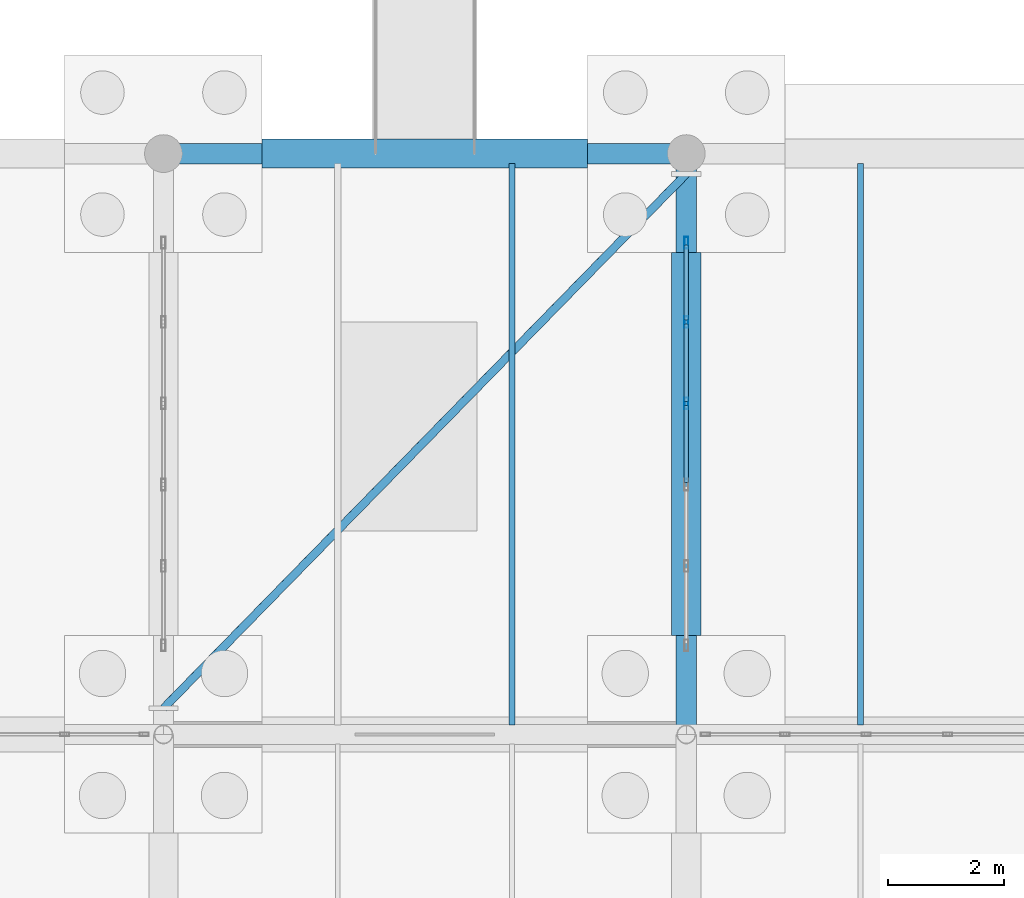
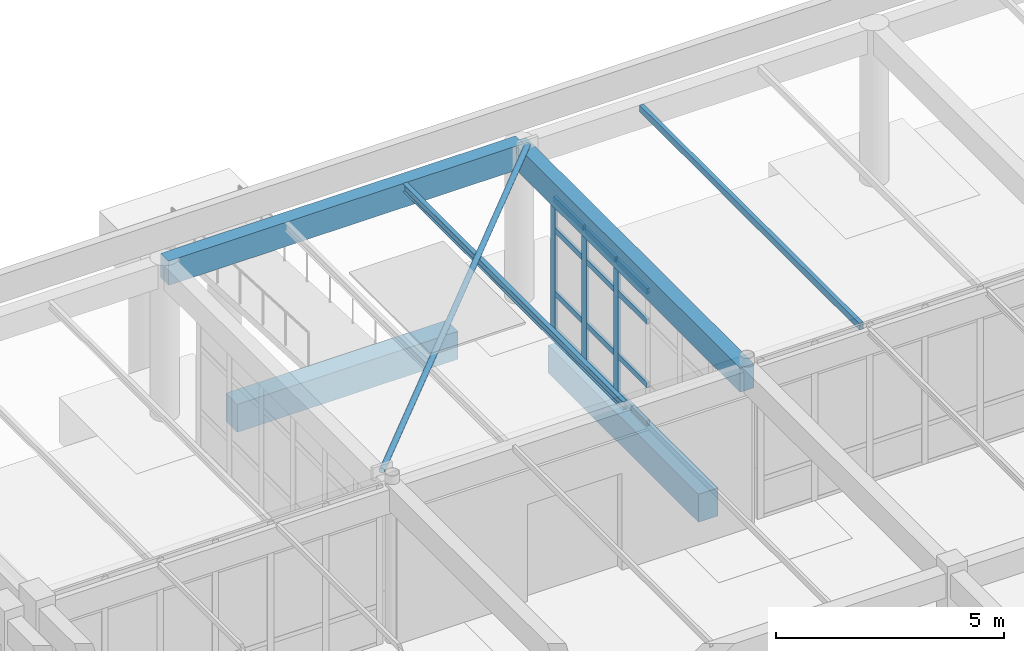
# One storey, part 135 of 186: 16 members, 6 beams, 1 element without a shape of its own.
"""IFC4 building model written with IfcOpenShell, lengths in metres."""

from ifc_helpers import new_model, si_unit, direction, frame, origin, origin_2d, place, context, subcontext, project, spatial, rectangle, hollow_rectangle, hollow_circle, i_section, extrude, material, layer, layer_set, material_profile, profile_set, type_object, element, aggregate, save


model = new_model("IFC4")

# Units and contexts
model_context = context("Model", 3, precision=1e-05, world=origin(), true_north=direction((0.0, 1.0)))
body_context = subcontext(model_context, "Body", "Model", "MODEL_VIEW")
ifc_project = project(units=[si_unit("LENGTHUNIT", "METRE"), si_unit("AREAUNIT", "SQUARE_METRE"), si_unit("VOLUMEUNIT", "CUBIC_METRE"), si_unit("PLANEANGLEUNIT", "RADIAN"), si_unit("MASSUNIT", "GRAM", prefix="KILO")], contexts=[model_context])

# Site, building, storey
site_placement = place(None, origin())
site = spatial("IfcSite", under=ifc_project, at=site_placement, CompositionType="ELEMENT")
building_placement = place(site_placement, origin())
building = spatial("IfcBuilding", under=site, at=building_placement, Name="Ornek Quay Market", CompositionType="ELEMENT")
storey_placement = place(building_placement, origin())
storey = spatial("IfcBuildingStorey", under=building, at=storey_placement, Name="L00", CompositionType="ELEMENT", Elevation=0.0)

# Beams
ifc_material_1 = material(Name="Concrete C35/45", Category="concrete")
ifc_material_profile_1 = material_profile(ifc_material_1, rectangle(XDim=0.35009765625, YDim=0.64990234375, at=origin_2d()), Name="RC 350x650", Category="concrete")
ifc_profile_set_1 = profile_set([ifc_material_profile_1], Name="Concrete C35/45")
beam_type_1 = type_object("IfcBeamType", Name="BM-CONC-350x650", PredefinedType="BEAM", material=ifc_profile_set_1)
beam_1_placement = place(storey_placement, frame((135.0, 120.0, 3.864990234375), z_axis=(1.0, 0.0, 0.0), x_axis=(0.0, 1.0, 0.0)))
element("IfcBeam", 1, at=beam_1_placement, inside=storey, type_object=beam_type_1, Name="Primary beam B-CN1-040", PredefinedType="BEAM", context=body_context, shape_type="SweptSolid", body=[
    extrude(rectangle(XDim=0.35009765625, YDim=0.64990234375, at=origin_2d()), origin(), (0.0, 0.0, 1.0), 9.0),
])
beam_2_placement = place(storey_placement, frame((144.0, 110.0, 3.864990234375), z_axis=(0.0, 1.0, 0.0), x_axis=(-1.0, 0.0, 0.0)))
element("IfcBeam", 2, at=beam_2_placement, inside=storey, type_object=beam_type_1, Name="Primary beam B-CN1-047", PredefinedType="BEAM", context=body_context, shape_type="SweptSolid", body=[
    extrude(rectangle(XDim=0.35009765625, YDim=0.64990234375, at=origin_2d()), origin(), (0.0, 0.0, 1.0), 10.0),
])
ifc_material_profile_2 = material_profile(ifc_material_1, rectangle(XDim=0.5, YDim=0.75, at=origin_2d()), Name="RC 500x750", Category="concrete")
ifc_profile_set_2 = profile_set([ifc_material_profile_2], Name="Concrete C35/45")
beam_type_2 = type_object("IfcBeamType", Name="BM-GB-500x750", PredefinedType="BEAM", material=ifc_profile_set_2)
beam_3_placement = place(storey_placement, frame((136.699951171875, 120.0, -0.574951171875), z_axis=(1.0, 0.0, 0.0), x_axis=(0.0, 1.0, 0.0)))
element("IfcBeam", 3, at=beam_3_placement, inside=storey, type_object=beam_type_2, Name="Ground tie beam GB-357", PredefinedType="BEAM", context=body_context, shape_type="SweptSolid", body=[
    extrude(rectangle(XDim=0.5, YDim=0.75, at=origin_2d()), origin(), (0.0, 0.0, 1.0), 5.60009765625),
])
beam_4_placement = place(storey_placement, frame((144.0, 111.699951171875, -0.574951171875), z_axis=(0.0, 1.0, 0.0), x_axis=(-1.0, 0.0, 0.0)))
element("IfcBeam", 4, at=beam_4_placement, inside=storey, type_object=beam_type_2, Name="Ground tie beam GB-387", PredefinedType="BEAM", context=body_context, shape_type="SweptSolid", body=[
    extrude(rectangle(XDim=0.5, YDim=0.75, at=origin_2d()), origin(), (0.0, 0.0, 1.0), 6.60009765625),
])
ifc_material_2 = material(Name="Steel S355", Category="steel")
ifc_material_profile_3 = material_profile(ifc_material_2, hollow_rectangle(XDim=0.10009765625, YDim=0.179931640625, WallThickness=0.008056640625, at=origin_2d()), Name="RHS 180x100x8", Category="steel")
ifc_profile_set_3 = profile_set([ifc_material_profile_3], Name="Steel S355")
beam_type_3 = type_object("IfcBeamType", Name="BM-RHS-RHS180x100x8", PredefinedType="BEAM", material=ifc_profile_set_3)
beam_5_placement = place(storey_placement, frame((147.0, 110.1669921875, 4.10009765625), z_axis=(0.0, 1.0, 0.0), x_axis=(-1.0, 0.0, 0.0)))
element("IfcBeam", 5, at=beam_5_placement, inside=storey, type_object=beam_type_3, Name="Secondary joist SR-03-007", PredefinedType="BEAM", context=body_context, shape_type="SweptSolid", body=[
    extrude(hollow_rectangle(XDim=0.10009765625, YDim=0.179931640625, WallThickness=0.008056640625, at=origin_2d()), origin(), (0.0, 0.0, 1.0), 9.666015625),
])
ifc_material_profile_4 = material_profile(ifc_material_2, i_section(OverallWidth=0.110107421875, OverallDepth=0.219970703125, WebThickness=0.005859375, FlangeThickness=0.00927734375, FilletRadius=0.011962890625, at=origin_2d()), Name="IPE 220", Category="steel")
ifc_profile_set_4 = profile_set([ifc_material_profile_4], Name="Steel S355")
beam_type_4 = type_object("IfcBeamType", Name="BM-STL-IPE220", PredefinedType="JOIST", material=ifc_profile_set_4)
beam_6_placement = place(storey_placement, frame((141.0, 110.1669921875, 4.080078125), z_axis=(0.0, 1.0, 0.0), x_axis=(-1.0, 0.0, 0.0)))
element("IfcBeam", 6, at=beam_6_placement, inside=storey, type_object=beam_type_4, Name="Secondary joist SB-03-010", PredefinedType="JOIST", context=body_context, shape_type="SweptSolid", body=[
    extrude(i_section(OverallWidth=0.110107421875, OverallDepth=0.219970703125, WebThickness=0.005859375, FlangeThickness=0.00927734375, FilletRadius=0.011962890625, at=origin_2d()), origin(), (0.0, 0.0, 1.0), 9.666015625),
])

# Curtain wall, members
ifc_material_3 = material(Name="Anodised bronze aluminium and triple low-e glass", Category="aluminium")
ifc_layer = layer(ifc_material_3, 0.219970703125, Name="Anodised bronze aluminium and triple low-e glass", Category="aluminium")
ifc_layer_set = layer_set([ifc_layer], Name="Anodised bronze aluminium and triple low-e glass")
curtain_wall_type = type_object("IfcCurtainWallType", Name="CW-PORCH-MOD1500", PredefinedType="USERDEFINED", material=ifc_layer_set)
curtain_wall_placement = place(storey_placement, origin())
curtain_wall = element("IfcCurtainWall", 7, at=curtain_wall_placement, inside=storey, type_object=curtain_wall_type, Name="Curtain wall CW-156", ObjectType="CURTAIN WALL", PredefinedType="USERDEFINED")
ifc_material_4 = material(Name="Anodised aluminium 6063-T6", Category="aluminium")
ifc_material_profile_5 = material_profile(ifc_material_4, hollow_rectangle(XDim=0.070068359375, YDim=0.199951171875, WallThickness=0.0048828125, at=origin_2d()), Name="CW-MUL-70x200", Category="aluminium")
ifc_profile_set_5 = profile_set([ifc_material_profile_5], Name="Anodised aluminium 6063-T6")
member_type_1 = type_object("IfcMemberType", Name="CW-MUL-70x200", PredefinedType="MULLION", material=ifc_profile_set_5)
member_1_placement = place(storey_placement, frame((144.0, 115.699951171875, 0.0), z_axis=(0.0, 0.0, 1.0), x_axis=(-1.0, 0.0, 0.0)))
member_1 = element("IfcMember", 8, at=member_1_placement, type_object=member_type_1, Name="CW-156 mullion 4", PredefinedType="MULLION", context=body_context, shape_type="SweptSolid", body=[
    extrude(hollow_rectangle(XDim=0.070068359375, YDim=0.199951171875, WallThickness=0.0048828125, at=origin_2d()), origin(), (0.0, 0.0, 1.0), 3.60009765625),
])
member_2_placement = place(storey_placement, frame((144.0, 117.10009765625, 0.0), z_axis=(0.0, 0.0, 1.0), x_axis=(-1.0, 0.0, 0.0)))
member_2 = element("IfcMember", 9, at=member_2_placement, type_object=member_type_1, Name="CW-156 mullion 5", PredefinedType="MULLION", context=body_context, shape_type="SweptSolid", body=[
    extrude(hollow_rectangle(XDim=0.070068359375, YDim=0.199951171875, WallThickness=0.0048828125, at=origin_2d()), origin(), (0.0, 0.0, 1.0), 3.60009765625),
])
member_3_placement = place(storey_placement, frame((144.0, 118.465087890625, 0.0), z_axis=(0.0, 0.0, 1.0), x_axis=(-1.0, 0.0, 0.0)))
member_3 = element("IfcMember", 10, at=member_3_placement, type_object=member_type_1, Name="CW-156 mullion 6", PredefinedType="MULLION", context=body_context, shape_type="SweptSolid", body=[
    extrude(hollow_rectangle(XDim=0.070068359375, YDim=0.199951171875, WallThickness=0.0048828125, at=origin_2d()), origin(), (0.0, 0.0, 1.0), 3.60009765625),
])
ifc_material_profile_6 = material_profile(ifc_material_4, hollow_rectangle(XDim=0.070068359375, YDim=0.14990234375, WallThickness=0.0048828125, at=origin_2d()), Name="CW-TRN-70x150", Category="aluminium")
ifc_profile_set_6 = profile_set([ifc_material_profile_6], Name="Anodised aluminium 6063-T6")
member_type_2 = type_object("IfcMemberType", Name="CW-TRN-70x150", PredefinedType="USERDEFINED", material=ifc_profile_set_6)
member_4_placement = place(storey_placement, frame((144.0, 114.3349609375, 0.034912109375), z_axis=(0.0, 1.0, 0.0), x_axis=(-1.0, 0.0, 0.0)))
member_4 = element("IfcMember", 11, at=member_4_placement, type_object=member_type_2, Name="CW-156 transom 3.1", ObjectType="TRANSOM", PredefinedType="USERDEFINED", context=body_context, shape_type="SweptSolid", body=[
    extrude(hollow_rectangle(XDim=0.070068359375, YDim=0.14990234375, WallThickness=0.0048828125, at=origin_2d()), origin(), (0.0, 0.0, 1.0), 1.330078125),
])
member_5_placement = place(storey_placement, frame((144.0, 114.3349609375, 1.050048828125), z_axis=(0.0, 1.0, 0.0), x_axis=(-1.0, 0.0, 0.0)))
member_5 = element("IfcMember", 12, at=member_5_placement, type_object=member_type_2, Name="CW-156 transom 3.2", ObjectType="TRANSOM", PredefinedType="USERDEFINED", context=body_context, shape_type="SweptSolid", body=[
    extrude(hollow_rectangle(XDim=0.070068359375, YDim=0.14990234375, WallThickness=0.0048828125, at=origin_2d()), origin(), (0.0, 0.0, 1.0), 1.330078125),
])
member_6_placement = place(storey_placement, frame((144.0, 114.3349609375, 2.75), z_axis=(0.0, 1.0, 0.0), x_axis=(-1.0, 0.0, 0.0)))
member_6 = element("IfcMember", 13, at=member_6_placement, type_object=member_type_2, Name="CW-156 transom 3.3", ObjectType="TRANSOM", PredefinedType="USERDEFINED", context=body_context, shape_type="SweptSolid", body=[
    extrude(hollow_rectangle(XDim=0.070068359375, YDim=0.14990234375, WallThickness=0.0048828125, at=origin_2d()), origin(), (0.0, 0.0, 1.0), 1.330078125),
])
member_7_placement = place(storey_placement, frame((144.0, 114.3349609375, 3.56494140625), z_axis=(0.0, 1.0, 0.0), x_axis=(-1.0, 0.0, 0.0)))
member_7 = element("IfcMember", 14, at=member_7_placement, type_object=member_type_2, Name="CW-156 transom 3.4", ObjectType="TRANSOM", PredefinedType="USERDEFINED", context=body_context, shape_type="SweptSolid", body=[
    extrude(hollow_rectangle(XDim=0.070068359375, YDim=0.14990234375, WallThickness=0.0048828125, at=origin_2d()), origin(), (0.0, 0.0, 1.0), 1.330078125),
])
member_8_placement = place(storey_placement, frame((144.0, 115.735107421875, 0.034912109375), z_axis=(0.0, 1.0, 0.0), x_axis=(-1.0, 0.0, 0.0)))
member_8 = element("IfcMember", 15, at=member_8_placement, type_object=member_type_2, Name="CW-156 transom 4.1", ObjectType="TRANSOM", PredefinedType="USERDEFINED", context=body_context, shape_type="SweptSolid", body=[
    extrude(hollow_rectangle(XDim=0.070068359375, YDim=0.14990234375, WallThickness=0.0048828125, at=origin_2d()), origin(), (0.0, 0.0, 1.0), 1.329833984375),
])
member_9_placement = place(storey_placement, frame((144.0, 115.735107421875, 1.050048828125), z_axis=(0.0, 1.0, 0.0), x_axis=(-1.0, 0.0, 0.0)))
member_9 = element("IfcMember", 16, at=member_9_placement, type_object=member_type_2, Name="CW-156 transom 4.2", ObjectType="TRANSOM", PredefinedType="USERDEFINED", context=body_context, shape_type="SweptSolid", body=[
    extrude(hollow_rectangle(XDim=0.070068359375, YDim=0.14990234375, WallThickness=0.0048828125, at=origin_2d()), origin(), (0.0, 0.0, 1.0), 1.329833984375),
])
member_10_placement = place(storey_placement, frame((144.0, 115.735107421875, 2.75), z_axis=(0.0, 1.0, 0.0), x_axis=(-1.0, 0.0, 0.0)))
member_10 = element("IfcMember", 17, at=member_10_placement, type_object=member_type_2, Name="CW-156 transom 4.3", ObjectType="TRANSOM", PredefinedType="USERDEFINED", context=body_context, shape_type="SweptSolid", body=[
    extrude(hollow_rectangle(XDim=0.070068359375, YDim=0.14990234375, WallThickness=0.0048828125, at=origin_2d()), origin(), (0.0, 0.0, 1.0), 1.329833984375),
])
member_11_placement = place(storey_placement, frame((144.0, 115.735107421875, 3.56494140625), z_axis=(0.0, 1.0, 0.0), x_axis=(-1.0, 0.0, 0.0)))
member_11 = element("IfcMember", 18, at=member_11_placement, type_object=member_type_2, Name="CW-156 transom 4.4", ObjectType="TRANSOM", PredefinedType="USERDEFINED", context=body_context, shape_type="SweptSolid", body=[
    extrude(hollow_rectangle(XDim=0.070068359375, YDim=0.14990234375, WallThickness=0.0048828125, at=origin_2d()), origin(), (0.0, 0.0, 1.0), 1.329833984375),
])
member_12_placement = place(storey_placement, frame((144.0, 117.135009765625, 0.034912109375), z_axis=(0.0, 1.0, 0.0), x_axis=(-1.0, 0.0, 0.0)))
member_12 = element("IfcMember", 19, at=member_12_placement, type_object=member_type_2, Name="CW-156 transom 5.1", ObjectType="TRANSOM", PredefinedType="USERDEFINED", context=body_context, shape_type="SweptSolid", body=[
    extrude(hollow_rectangle(XDim=0.070068359375, YDim=0.14990234375, WallThickness=0.0048828125, at=origin_2d()), origin(), (0.0, 0.0, 1.0), 1.294921875),
])
member_13_placement = place(storey_placement, frame((144.0, 117.135009765625, 1.050048828125), z_axis=(0.0, 1.0, 0.0), x_axis=(-1.0, 0.0, 0.0)))
member_13 = element("IfcMember", 20, at=member_13_placement, type_object=member_type_2, Name="CW-156 transom 5.2", ObjectType="TRANSOM", PredefinedType="USERDEFINED", context=body_context, shape_type="SweptSolid", body=[
    extrude(hollow_rectangle(XDim=0.070068359375, YDim=0.14990234375, WallThickness=0.0048828125, at=origin_2d()), origin(), (0.0, 0.0, 1.0), 1.294921875),
])
member_14_placement = place(storey_placement, frame((144.0, 117.135009765625, 2.75), z_axis=(0.0, 1.0, 0.0), x_axis=(-1.0, 0.0, 0.0)))
member_14 = element("IfcMember", 21, at=member_14_placement, type_object=member_type_2, Name="CW-156 transom 5.3", ObjectType="TRANSOM", PredefinedType="USERDEFINED", context=body_context, shape_type="SweptSolid", body=[
    extrude(hollow_rectangle(XDim=0.070068359375, YDim=0.14990234375, WallThickness=0.0048828125, at=origin_2d()), origin(), (0.0, 0.0, 1.0), 1.294921875),
])
member_15_placement = place(storey_placement, frame((144.0, 117.135009765625, 3.56494140625), z_axis=(0.0, 1.0, 0.0), x_axis=(-1.0, 0.0, 0.0)))
member_15 = element("IfcMember", 22, at=member_15_placement, type_object=member_type_2, Name="CW-156 transom 5.4", ObjectType="TRANSOM", PredefinedType="USERDEFINED", context=body_context, shape_type="SweptSolid", body=[
    extrude(hollow_rectangle(XDim=0.070068359375, YDim=0.14990234375, WallThickness=0.0048828125, at=origin_2d()), origin(), (0.0, 0.0, 1.0), 1.294921875),
])
aggregate(curtain_wall, [member_1, member_2, member_3, member_4, member_5, member_6, member_7, member_8, member_9, member_10, member_11, member_12, member_13, member_14, member_15])

# Member
ifc_material_profile_7 = material_profile(ifc_material_2, hollow_circle(Radius=0.06982421875, WallThickness=0.008056640625, at=origin_2d()), Name="CHS 139.7x8", Category="steel")
ifc_profile_set_7 = profile_set([ifc_material_profile_7], Name="Steel S355")
member_type_3 = type_object("IfcMemberType", Name="MBR-BRC-CHS139", PredefinedType="BRACE", material=ifc_profile_set_7)
member_16_placement = place(storey_placement, frame((135.0, 110.449951171875, 4.260009765625), z_axis=(0.699296051965, 0.714832170307, 0.0), x_axis=(-0.714832170307, 0.699296051965, 0.0)))
element("IfcMember", 23, at=member_16_placement, inside=storey, type_object=member_type_3, Name="Quay colonnade wind brace QB-05", PredefinedType="BRACE", context=body_context, shape_type="SweptSolid", body=[
    extrude(hollow_circle(Radius=0.06982421875, WallThickness=0.008056640625, at=origin_2d()), origin(), (0.0, 0.0, 1.0), 12.8701171875),
])

save(model, "model.ifc")
